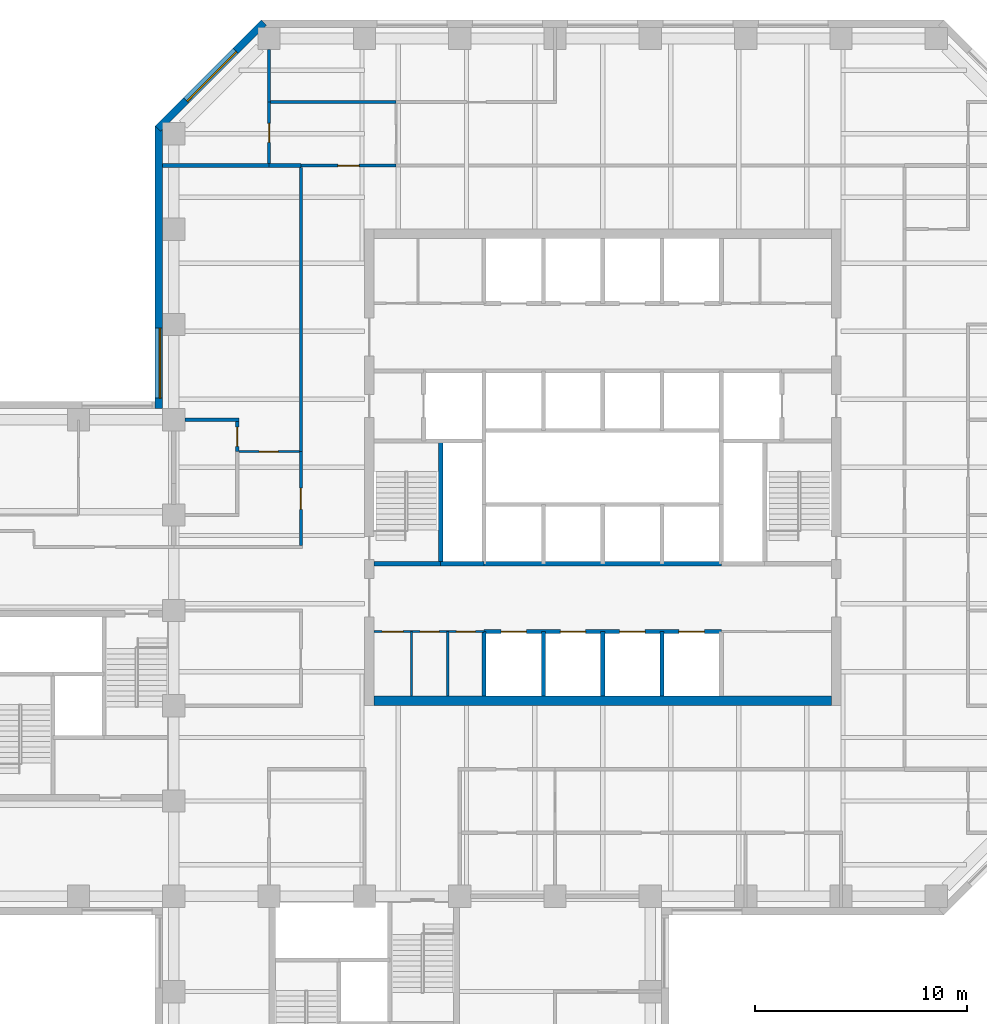
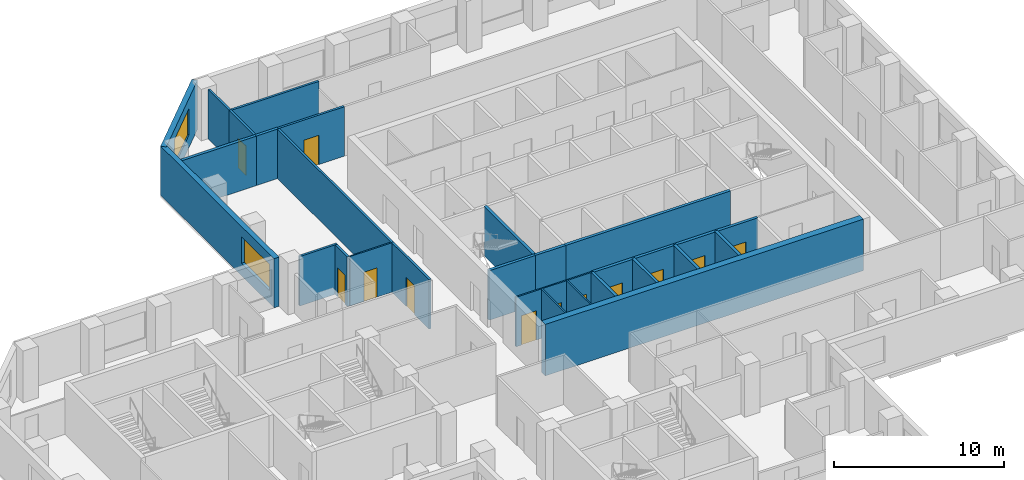
# One storey, part 6 of 11: 26 walls, 12 doors, 2 windows, 14 openings.
"""IFC4 building model written with IfcOpenShell, lengths in metres."""

from ifc_helpers import new_model, si_unit, direction, frame, frame_2d, origin, place, context, subcontext, project, spatial, rectangle, extrude, material, layer, layer_set, constituent, constituent_set, type_object, element, fill, save


model = new_model("IFC4")

# Units and contexts
model_context = context("Model", 3, precision=1e-05, world=origin(), true_north=direction((0.0, 1.0)))
body_context = subcontext(model_context, "Body", "Model", "MODEL_VIEW")
ifc_project = project(units=[si_unit("LENGTHUNIT", "METRE"), si_unit("AREAUNIT", "SQUARE_METRE"), si_unit("VOLUMEUNIT", "CUBIC_METRE"), si_unit("PLANEANGLEUNIT", "RADIAN"), si_unit("MASSUNIT", "GRAM", prefix="KILO")], contexts=[model_context])

# Site, building, storey
site_placement = place(None, origin())
site = spatial("IfcSite", under=ifc_project, at=site_placement, CompositionType="ELEMENT")
building_placement = place(site_placement, origin())
building = spatial("IfcBuilding", under=site, at=building_placement, Name="Quoin Convention Tower", CompositionType="ELEMENT")
storey_placement = place(building_placement, frame((0.0, 0.0, 104.800048828125)))
storey = spatial("IfcBuildingStorey", under=building, at=storey_placement, Name="L27", CompositionType="ELEMENT", Elevation=104.800048828125)

# Walls
ifc_material_1 = material(Name="Plasterboard")
ifc_layer_1 = layer(ifc_material_1, 0.012451171875, Name="Finish")
ifc_material_2 = material(Name="Steel stud framing", Category="steel")
ifc_layer_2 = layer(ifc_material_2, 0.125, Name="Structure")
ifc_layer_3 = layer(ifc_material_1, 0.012451171875, Name="Finish")
ifc_layer_set_1 = layer_set([ifc_layer_1, ifc_layer_2, ifc_layer_3], Name="Steel stud framing")
wall_type_1 = type_object("IfcWallType", Name="Acoustic partition 150", PredefinedType="PARTITIONING", material=ifc_layer_set_1)
wall_1_placement = place(storey_placement, frame((36.52490234375, 63.0, 0.0), z_axis=(0.0, 0.0, 1.0), x_axis=(1.0, 0.0, 0.0)))
element("IfcWall", 1, at=wall_1_placement, inside=storey, type_object=wall_type_1, Name="pw-L27-037", PredefinedType="PARTITIONING", context=body_context, shape_type="SweptSolid", body=[
    extrude(rectangle(XDim=2.550048828125, YDim=0.14990234375, at=frame_2d((1.27490234375, 0.0))), origin(), (0.0, 0.0, 1.0), 3.550048828125),
])
wall_2_placement = place(storey_placement, frame((40.574951171875, 78.0, 0.0), z_axis=(0.0, 0.0, 1.0), x_axis=(1.0, 0.0, 0.0)))
element("IfcWall", 2, at=wall_2_placement, inside=storey, type_object=wall_type_1, Name="pw-L27-047", PredefinedType="PARTITIONING", context=body_context, shape_type="SweptSolid", body=[
    extrude(rectangle(XDim=5.925048828125, YDim=0.14990234375, at=frame_2d((2.96240234375, 0.0))), origin(), (0.0, 0.0, 1.0), 3.550048828125),
])

# Wall, opening, door
wall_3_placement = place(storey_placement, frame((39.0, 61.5, 0.0), z_axis=(0.0, 0.0, 1.0), x_axis=(0.0, 1.0, 0.0)))
wall_3 = element("IfcWall", 3, at=wall_3_placement, inside=storey, type_object=wall_type_1, Name="pw-L27-084", PredefinedType="PARTITIONING", context=body_context, shape_type="SweptSolid", body=[
    extrude(rectangle(XDim=1.425048828125, YDim=0.14990234375, at=frame_2d((0.71240234375, 0.0))), origin(), (0.0, 0.0, 1.0), 3.550048828125),
])
opening_1_placement = place(wall_3_placement, frame((0.25, 0.0, 0.0)))
opening_1 = element("IfcOpeningElement", 4, at=opening_1_placement, cuts=wall_3, Name="Opening DOL4-27", PredefinedType="OPENING", context=body_context, shape_type="SweptSolid", body=[
    extrude(rectangle(XDim=0.89990234375, YDim=2.10009765625, at=frame_2d((0.449951171875, 1.050048828125))), frame((0.0, 0.0849609375, 0.0), z_axis=(0.0, -1.0, 0.0), x_axis=(1.0, 0.0, 0.0)), (0.0, 0.0, 1.0), 0.169921875),
])
ifc_material_3 = material(Name="Steel door leaf", Category="steel")
door_type_1 = type_object("IfcDoorType", Name="Office door 900 x 2100", OperationType="SINGLE_SWING_RIGHT", PredefinedType="DOOR", material=ifc_material_3)
door_1_placement = place(opening_1_placement, frame((0.89990234375, 0.0, 0.0), z_axis=(0.0, 0.0, 1.0), x_axis=(-1.0, 0.0, 0.0)))
door_1 = element("IfcDoor", 5, at=door_1_placement, inside=storey, type_object=door_type_1, Name="dr-L27-36", OperationType="SINGLE_SWING_RIGHT", OverallHeight=2.10009765625, OverallWidth=0.89990234375, PredefinedType="DOOR", context=body_context, shape_type="SweptSolid", body=[
    extrude(rectangle(XDim=0.89990234375, YDim=2.10009765625, at=frame_2d((0.449951171875, 1.050048828125))), frame((0.0, 0.02490234375, 0.0), z_axis=(0.0, -1.0, 0.0), x_axis=(1.0, 0.0, 0.0)), (0.0, 0.0, 1.0), 0.050048828125),
])
fill(opening_1, door_1)

wall_4_placement = place(storey_placement, frame((40.5, 75.10009765625, 0.0), z_axis=(0.0, 0.0, 1.0), x_axis=(0.0, 1.0, 0.0)))
wall_4 = element("IfcWall", 6, at=wall_4_placement, inside=storey, type_object=wall_type_1, Name="pw-L27-091", PredefinedType="PARTITIONING", context=body_context, shape_type="SweptSolid", body=[
    extrude(rectangle(XDim=2.89990234375, YDim=0.14990234375, at=frame_2d((1.449951171875, 0.0))), origin(), (0.0, 0.0, 1.0), 3.550048828125),
])
opening_2_placement = place(wall_4_placement, frame((1.0, 0.0, 0.0)))
opening_2 = element("IfcOpeningElement", 7, at=opening_2_placement, cuts=wall_4, Name="Opening DOL4-30", PredefinedType="OPENING", context=body_context, shape_type="SweptSolid", body=[
    extrude(rectangle(XDim=0.89990234375, YDim=2.10009765625, at=frame_2d((0.449951171875, 1.050048828125))), frame((0.0, 0.0849609375, 0.0), z_axis=(0.0, -1.0, 0.0), x_axis=(1.0, 0.0, 0.0)), (0.0, 0.0, 1.0), 0.169921875),
])
door_2_placement = place(opening_2_placement, origin())
door_2 = element("IfcDoor", 8, at=door_2_placement, inside=storey, type_object=door_type_1, Name="dr-L27-32", OperationType="SINGLE_SWING_RIGHT", OverallHeight=2.10009765625, OverallWidth=0.89990234375, PredefinedType="DOOR", context=body_context, shape_type="SweptSolid", body=[
    extrude(rectangle(XDim=0.89990234375, YDim=2.10009765625, at=frame_2d((0.449951171875, 1.050048828125))), frame((0.0, 0.02490234375, 0.0), z_axis=(0.0, -1.0, 0.0), x_axis=(1.0, 0.0, 0.0)), (0.0, 0.0, 1.0), 0.050048828125),
])
fill(opening_2, door_2)

# Wall
wall_5_placement = place(storey_placement, frame((40.5, 78.0, 0.0), z_axis=(0.0, 0.0, 1.0), x_axis=(0.0, 1.0, 0.0)))
element("IfcWall", 9, at=wall_5_placement, inside=storey, type_object=wall_type_1, Name="pw-L27-092", PredefinedType="PARTITIONING", context=body_context, shape_type="SweptSolid", body=[
    extrude(rectangle(XDim=2.47509765625, YDim=0.14990234375, at=frame_2d((1.237548828125, 0.0))), origin(), (0.0, 0.0, 1.0), 3.550048828125),
])

# Wall, opening, window
ifc_material_4 = material(Name="Brick masonry", Category="masonry")
ifc_layer_4 = layer(ifc_material_4, 0.35009765625)
ifc_layer_set_2 = layer_set([ifc_layer_4], Name="Brick masonry")
wall_type_2 = type_object("IfcWallType", Name="Brick facade wall", PredefinedType="STANDARD", material=ifc_layer_set_2)
wall_6_placement = place(storey_placement, frame((40.26123046875, 81.751220703125, 0.0), z_axis=(0.0, 0.0, 1.0), x_axis=(-0.707106781187, -0.707106781187, 0.0)))
wall_6 = element("IfcWall", 10, at=wall_6_placement, inside=storey, type_object=wall_type_2, Name="fw-L27-40500_81000", PredefinedType="STANDARD", context=body_context, shape_type="SweptSolid", body=[
    extrude(rectangle(XDim=7.088623046875, YDim=0.35009765625, at=frame_2d((3.54443359375, 0.0))), origin(), (0.0, 0.0, 1.0), 3.52490234375),
])
opening_3_placement = place(wall_6_placement, frame((1.894287109375, 0.0, 0.89990234375)))
opening_3 = element("IfcOpeningElement", 11, at=opening_3_placement, cuts=wall_6, Name="Opening W-02", PredefinedType="OPENING", context=body_context, shape_type="SweptSolid", body=[
    extrude(rectangle(XDim=3.300048828125, YDim=1.89990234375, at=frame_2d((1.64990234375, 0.949951171875))), frame((0.0, 0.18505859375, 0.0), z_axis=(0.0, -1.0, 0.0), x_axis=(1.0, 0.0, 0.0)), (0.0, 0.0, 1.0), 0.3701171875),
])
ifc_material_5 = material(Name="Aluminium", Category="aluminium")
ifc_constituent_1 = constituent(ifc_material_5, Name="Frame")
ifc_material_6 = material(Name="Insulated glass", Category="glass")
ifc_constituent_2 = constituent(ifc_material_6, Name="Glazing")
ifc_constituent_set = constituent_set(constituents=[ifc_constituent_1, ifc_constituent_2], Name="Aluminium")
window_type = type_object("IfcWindowType", Name="Office window", PartitioningType="DOUBLE_PANEL_VERTICAL", PredefinedType="WINDOW", material=ifc_constituent_set)
window_1_placement = place(opening_3_placement, origin())
window_1 = element("IfcWindow", 12, at=window_1_placement, inside=storey, type_object=window_type, Name="win-L27-37755_79245", OverallHeight=1.89990234375, OverallWidth=3.300048828125, PartitioningType="SINGLE_PANEL", PredefinedType="WINDOW", context=body_context, shape_type="SweptSolid", body=[
    extrude(rectangle(XDim=3.300048828125, YDim=1.89990234375, at=frame_2d((1.64990234375, 0.949951171875))), frame((0.0, 0.0849609375, 0.0), z_axis=(0.0, -1.0, 0.0), x_axis=(1.0, 0.0, 0.0)), (0.0, 0.0, 1.0), 0.06005859375),
])
fill(opening_3, window_1)

wall_7_placement = place(storey_placement, frame((35.300048828125, 76.8623046875, 0.0), z_axis=(0.0, 0.0, 1.0), x_axis=(0.0, -1.0, 0.0)))
wall_7 = element("IfcWall", 13, at=wall_7_placement, inside=storey, type_object=wall_type_2, Name="fw-L27-36000_76500", PredefinedType="STANDARD", context=body_context, shape_type="SweptSolid", body=[
    extrude(rectangle(XDim=13.33740234375, YDim=0.35009765625, at=frame_2d((6.668701171875, 0.0))), origin(), (0.0, 0.0, 1.0), 3.52490234375),
])
opening_4_placement = place(wall_7_placement, frame((9.537353515625, 0.0, 0.89990234375)))
opening_4 = element("IfcOpeningElement", 14, at=opening_4_placement, cuts=wall_7, Name="Opening W-02", PredefinedType="OPENING", context=body_context, shape_type="SweptSolid", body=[
    extrude(rectangle(XDim=3.300048828125, YDim=1.89990234375, at=frame_2d((1.64990234375, 0.949951171875))), frame((0.0, 0.18505859375, 0.0), z_axis=(0.0, -1.0, 0.0), x_axis=(1.0, 0.0, 0.0)), (0.0, 0.0, 1.0), 0.3701171875),
])
window_2_placement = place(opening_4_placement, origin())
window_2 = element("IfcWindow", 15, at=window_2_placement, inside=storey, type_object=window_type, Name="win-L27-35300_65250", OverallHeight=1.89990234375, OverallWidth=3.300048828125, PartitioningType="SINGLE_PANEL", PredefinedType="WINDOW", context=body_context, shape_type="SweptSolid", body=[
    extrude(rectangle(XDim=3.300048828125, YDim=1.89990234375, at=frame_2d((1.64990234375, 0.949951171875))), frame((0.0, 0.0849609375, 0.0), z_axis=(0.0, -1.0, 0.0), x_axis=(1.0, 0.0, 0.0)), (0.0, 0.0, 1.0), 0.06005859375),
])
fill(opening_4, window_2)

# Wall, openings, doors
ifc_layer_5 = layer(ifc_material_1, 0.012451171875, Name="Finish")
ifc_layer_6 = layer(ifc_material_2, 0.074951171875, Name="Structure")
ifc_layer_7 = layer(ifc_material_1, 0.012451171875, Name="Finish")
ifc_layer_set_3 = layer_set([ifc_layer_5, ifc_layer_6, ifc_layer_7], Name="Steel stud framing")
wall_type_3 = type_object("IfcWallType", Name="Core partition wall", PredefinedType="PARTITIONING", material=ifc_layer_set_3)
wall_8_placement = place(storey_placement, frame((45.449951171875, 53.0, 0.0), z_axis=(0.0, 0.0, 1.0), x_axis=(1.0, 0.0, 0.0)))
wall_8 = element("IfcWall", 16, at=wall_8_placement, inside=storey, type_object=wall_type_3, Name="cr-C1-L27-h3500_450", PredefinedType="PARTITIONING", context=body_context, shape_type="SweptSolid", body=[
    extrude(rectangle(XDim=5.199951171875, YDim=0.10009765625, at=frame_2d((2.60009765625, 0.0))), origin(), (0.0, 0.0, 1.0), 3.550048828125),
])
opening_5_placement = place(wall_8_placement, frame((0.384033203125, 0.0, 0.0)))
opening_5 = element("IfcOpeningElement", 17, at=opening_5_placement, cuts=wall_8, Name="Opening DCV3-31", PredefinedType="OPENING", context=body_context, shape_type="SweptSolid", body=[
    extrude(rectangle(XDim=1.0, YDim=2.10009765625, at=frame_2d((0.5, 1.050048828125))), frame((0.0, 0.06005859375, 0.0), z_axis=(0.0, -1.0, 0.0), x_axis=(1.0, 0.0, 0.0)), (0.0, 0.0, 1.0), 0.1201171875),
])
opening_6_placement = place(wall_8_placement, frame((2.176025390625, 0.0, 0.0)))
opening_6 = element("IfcOpeningElement", 18, at=opening_6_placement, cuts=wall_8, Name="Opening DCV3-32", PredefinedType="OPENING", context=body_context, shape_type="SweptSolid", body=[
    extrude(rectangle(XDim=0.89990234375, YDim=2.10009765625, at=frame_2d((0.449951171875, 1.050048828125))), frame((0.0, 0.06005859375, 0.0), z_axis=(0.0, -1.0, 0.0), x_axis=(1.0, 0.0, 0.0)), (0.0, 0.0, 1.0), 0.1201171875),
])
opening_7_placement = place(wall_8_placement, frame((3.89208984375, 0.0, 0.0)))
opening_7 = element("IfcOpeningElement", 19, at=opening_7_placement, cuts=wall_8, Name="Opening DCV3-33", PredefinedType="OPENING", context=body_context, shape_type="SweptSolid", body=[
    extrude(rectangle(XDim=0.89990234375, YDim=2.10009765625, at=frame_2d((0.449951171875, 1.050048828125))), frame((0.0, 0.06005859375, 0.0), z_axis=(0.0, -1.0, 0.0), x_axis=(1.0, 0.0, 0.0)), (0.0, 0.0, 1.0), 0.1201171875),
])
door_type_2 = type_object("IfcDoorType", Name="Core room door 1000 x 2100", OperationType="SINGLE_SWING_LEFT", PredefinedType="DOOR", material=ifc_material_3)
door_3_placement = place(opening_5_placement, frame((1.0, 0.0, 0.0), z_axis=(0.0, 0.0, 1.0), x_axis=(-1.0, 0.0, 0.0)))
door_3 = element("IfcDoor", 20, at=door_3_placement, inside=storey, type_object=door_type_2, Name="cd-C1-L27-CSW0-lobA-CD2712", OperationType="SINGLE_SWING_LEFT", OverallHeight=2.10009765625, OverallWidth=1.0, PredefinedType="DOOR", context=body_context, shape_type="SweptSolid", body=[
    extrude(rectangle(XDim=1.0, YDim=2.10009765625, at=frame_2d((0.5, 1.050048828125))), frame((0.0, 0.02490234375, 0.0), z_axis=(0.0, -1.0, 0.0), x_axis=(1.0, 0.0, 0.0)), (0.0, 0.0, 1.0), 0.050048828125),
])
fill(opening_5, door_3)
door_type_3 = type_object("IfcDoorType", Name="Core room door 900 x 2100", OperationType="SINGLE_SWING_LEFT", PredefinedType="DOOR", material=ifc_material_3)
door_4_placement = place(opening_6_placement, frame((0.89990234375, 0.0, 0.0), z_axis=(0.0, 0.0, 1.0), x_axis=(-1.0, 0.0, 0.0)))
door_4 = element("IfcDoor", 21, at=door_4_placement, inside=storey, type_object=door_type_3, Name="cd-C1-L27-CSW1-lobA-CD2713", OperationType="SINGLE_SWING_LEFT", OverallHeight=2.10009765625, OverallWidth=0.89990234375, PredefinedType="DOOR", context=body_context, shape_type="SweptSolid", body=[
    extrude(rectangle(XDim=0.89990234375, YDim=2.10009765625, at=frame_2d((0.449951171875, 1.050048828125))), frame((0.0, 0.02490234375, 0.0), z_axis=(0.0, -1.0, 0.0), x_axis=(1.0, 0.0, 0.0)), (0.0, 0.0, 1.0), 0.050048828125),
])
fill(opening_6, door_4)
door_5_placement = place(opening_7_placement, frame((0.89990234375, 0.0, 0.0), z_axis=(0.0, 0.0, 1.0), x_axis=(-1.0, 0.0, 0.0)))
door_5 = element("IfcDoor", 22, at=door_5_placement, inside=storey, type_object=door_type_3, Name="cd-C1-L27-CSW2-lobA-CD2714", OperationType="SINGLE_SWING_LEFT", OverallHeight=2.10009765625, OverallWidth=0.89990234375, PredefinedType="DOOR", context=body_context, shape_type="SweptSolid", body=[
    extrude(rectangle(XDim=0.89990234375, YDim=2.10009765625, at=frame_2d((0.449951171875, 1.050048828125))), frame((0.0, 0.02490234375, 0.0), z_axis=(0.0, -1.0, 0.0), x_axis=(1.0, 0.0, 0.0)), (0.0, 0.0, 1.0), 0.050048828125),
])
fill(opening_7, door_5)

# Walls
for number, where, z_axis, x_axis, name in (
    (23, (47.218017578125, 49.949951171875, 0.0), (0.0, 0.0, 1.0), (0.0, 1.0, 0.0), "cr-C1-L27-v2218_450"),
    (24, (48.93408203125, 49.949951171875, 0.0), (0.0, 0.0, 1.0), (0.0, 1.0, 0.0), "cr-C1-L27-v3934_450"),
):
    element("IfcWall", number, at=place(storey_placement, frame(where, z_axis=z_axis, x_axis=x_axis)), inside=storey, type_object=wall_type_3, Name=name, PredefinedType="PARTITIONING", context=body_context, shape_type="SweptSolid", body=[
        extrude(rectangle(XDim=3.050048828125, YDim=0.10009765625, at=frame_2d((1.52490234375, 0.0))), origin(), (0.0, 0.0, 1.0), 3.550048828125),
    ])

# Wall, openings, doors
ifc_material_7 = material(Name="Concrete C50", Category="concrete")
ifc_layer_8 = layer(ifc_material_7, 0.199951171875)
ifc_layer_set_4 = layer_set([ifc_layer_8], Name="Concrete C50")
wall_type_4 = type_object("IfcWallType", Name="Core shaft wall", PredefinedType="SOLIDWALL", material=ifc_layer_set_4)
wall_9_placement = place(storey_placement, frame((50.64990234375, 53.0, 0.0), z_axis=(0.0, 0.0, 1.0), x_axis=(1.0, 0.0, 0.0)))
wall_9 = element("IfcWall", 25, at=wall_9_placement, inside=storey, type_object=wall_type_4, Name="cr-C1-L27-h3500_5650", PredefinedType="SOLIDWALL", context=body_context, shape_type="SweptSolid", body=[
    extrude(rectangle(XDim=11.2001953125, YDim=0.199951171875, at=frame_2d((5.60009765625, 0.0))), origin(), (0.0, 0.0, 1.0), 3.550048828125),
])
opening_8_placement = place(wall_9_placement, frame((0.800048828125, 0.0, 0.0)))
opening_8 = element("IfcOpeningElement", 26, at=opening_8_placement, cuts=wall_9, Name="Opening LDL1", PredefinedType="OPENING", context=body_context, shape_type="SweptSolid", body=[
    extrude(rectangle(XDim=1.199951171875, YDim=2.10009765625, at=frame_2d((0.60009765625, 1.050048828125))), frame((0.0, 0.10986328125, 0.0), z_axis=(0.0, -1.0, 0.0), x_axis=(1.0, 0.0, 0.0)), (0.0, 0.0, 1.0), 0.219970703125),
])
opening_9_placement = place(wall_9_placement, frame((3.60009765625, 0.0, 0.0)))
opening_9 = element("IfcOpeningElement", 27, at=opening_9_placement, cuts=wall_9, Name="Opening LDL2", PredefinedType="OPENING", context=body_context, shape_type="SweptSolid", body=[
    extrude(rectangle(XDim=1.199951171875, YDim=2.10009765625, at=frame_2d((0.60009765625, 1.050048828125))), frame((0.0, 0.10986328125, 0.0), z_axis=(0.0, -1.0, 0.0), x_axis=(1.0, 0.0, 0.0)), (0.0, 0.0, 1.0), 0.219970703125),
])
opening_10_placement = place(wall_9_placement, frame((6.39990234375, 0.0, 0.0)))
opening_10 = element("IfcOpeningElement", 28, at=opening_10_placement, cuts=wall_9, Name="Opening LDL3", PredefinedType="OPENING", context=body_context, shape_type="SweptSolid", body=[
    extrude(rectangle(XDim=1.199951171875, YDim=2.10009765625, at=frame_2d((0.60009765625, 1.050048828125))), frame((0.0, 0.10986328125, 0.0), z_axis=(0.0, -1.0, 0.0), x_axis=(1.0, 0.0, 0.0)), (0.0, 0.0, 1.0), 0.219970703125),
])
opening_11_placement = place(wall_9_placement, frame((9.199951171875, 0.0, 0.0)))
opening_11 = element("IfcOpeningElement", 29, at=opening_11_placement, cuts=wall_9, Name="Opening LDL4", PredefinedType="OPENING", context=body_context, shape_type="SweptSolid", body=[
    extrude(rectangle(XDim=1.199951171875, YDim=2.10009765625, at=frame_2d((0.60009765625, 1.050048828125))), frame((0.0, 0.10986328125, 0.0), z_axis=(0.0, -1.0, 0.0), x_axis=(1.0, 0.0, 0.0)), (0.0, 0.0, 1.0), 0.219970703125),
])
door_type_4 = type_object("IfcDoorType", Name="Lift landing door 1200 x 2100", OperationType="DOUBLE_DOOR_SLIDING", PredefinedType="DOOR", material=ifc_material_3)
door_6_placement = place(opening_8_placement, origin())
door_6 = element("IfcDoor", 30, at=door_6_placement, inside=storey, type_object=door_type_4, Name="cd-C1-L27-R10-lobA-LDL1", OperationType="DOUBLE_DOOR_SLIDING", OverallHeight=2.10009765625, OverallWidth=1.199951171875, PredefinedType="DOOR", context=body_context, shape_type="SweptSolid", body=[
    extrude(rectangle(XDim=1.199951171875, YDim=2.10009765625, at=frame_2d((0.60009765625, 1.050048828125))), frame((0.0, 0.02490234375, 0.0), z_axis=(0.0, -1.0, 0.0), x_axis=(1.0, 0.0, 0.0)), (0.0, 0.0, 1.0), 0.050048828125),
])
fill(opening_8, door_6)
door_7_placement = place(opening_9_placement, origin())
door_7 = element("IfcDoor", 31, at=door_7_placement, inside=storey, type_object=door_type_4, Name="cd-C1-L27-R11-lobA-LDL2", OperationType="DOUBLE_DOOR_SLIDING", OverallHeight=2.10009765625, OverallWidth=1.199951171875, PredefinedType="DOOR", context=body_context, shape_type="SweptSolid", body=[
    extrude(rectangle(XDim=1.199951171875, YDim=2.10009765625, at=frame_2d((0.60009765625, 1.050048828125))), frame((0.0, 0.02490234375, 0.0), z_axis=(0.0, -1.0, 0.0), x_axis=(1.0, 0.0, 0.0)), (0.0, 0.0, 1.0), 0.050048828125),
])
fill(opening_9, door_7)
door_8_placement = place(opening_10_placement, origin())
door_8 = element("IfcDoor", 32, at=door_8_placement, inside=storey, type_object=door_type_4, Name="cd-C1-L27-R12-lobA-LDL3", OperationType="DOUBLE_DOOR_SLIDING", OverallHeight=2.10009765625, OverallWidth=1.199951171875, PredefinedType="DOOR", context=body_context, shape_type="SweptSolid", body=[
    extrude(rectangle(XDim=1.199951171875, YDim=2.10009765625, at=frame_2d((0.60009765625, 1.050048828125))), frame((0.0, 0.02490234375, 0.0), z_axis=(0.0, -1.0, 0.0), x_axis=(1.0, 0.0, 0.0)), (0.0, 0.0, 1.0), 0.050048828125),
])
fill(opening_10, door_8)
door_9_placement = place(opening_11_placement, origin())
door_9 = element("IfcDoor", 33, at=door_9_placement, inside=storey, type_object=door_type_4, Name="cd-C1-L27-R13-lobA-LDL4", OperationType="DOUBLE_DOOR_SLIDING", OverallHeight=2.10009765625, OverallWidth=1.199951171875, PredefinedType="DOOR", context=body_context, shape_type="SweptSolid", body=[
    extrude(rectangle(XDim=1.199951171875, YDim=2.10009765625, at=frame_2d((0.60009765625, 1.050048828125))), frame((0.0, 0.02490234375, 0.0), z_axis=(0.0, -1.0, 0.0), x_axis=(1.0, 0.0, 0.0)), (0.0, 0.0, 1.0), 0.050048828125),
])
fill(opening_11, door_9)

# Walls
wall_10_placement = place(storey_placement, frame((48.60009765625, 56.199951171875, 0.0), z_axis=(0.0, 0.0, 1.0), x_axis=(1.0, 0.0, 0.0)))
element("IfcWall", 34, at=wall_10_placement, inside=storey, type_object=wall_type_4, Name="cr-C1-L27-h6700_3600", PredefinedType="SOLIDWALL", context=body_context, shape_type="SweptSolid", body=[
    extrude(rectangle(XDim=2.0498046875, YDim=0.199951171875, at=frame_2d((1.02490234375, 0.0))), origin(), (0.0, 0.0, 1.0), 3.550048828125),
])
wall_11_placement = place(storey_placement, frame((45.449951171875, 56.199951171875, 0.0), z_axis=(0.0, 0.0, 1.0), x_axis=(1.0, 0.0, 0.0)))
element("IfcWall", 35, at=wall_11_placement, inside=storey, type_object=wall_type_4, Name="cr-C1-L27-h6700_450", PredefinedType="SOLIDWALL", context=body_context, shape_type="SweptSolid", body=[
    extrude(rectangle(XDim=3.150146484375, YDim=0.199951171875, at=frame_2d((1.5751953125, 0.0))), origin(), (0.0, 0.0, 1.0), 3.550048828125),
])
wall_12_placement = place(storey_placement, frame((50.64990234375, 56.199951171875, 0.0), z_axis=(0.0, 0.0, 1.0), x_axis=(1.0, 0.0, 0.0)))
element("IfcWall", 36, at=wall_12_placement, inside=storey, type_object=wall_type_4, Name="cr-C1-L27-h6700_5650", PredefinedType="SOLIDWALL", context=body_context, shape_type="SweptSolid", body=[
    extrude(rectangle(XDim=11.2001953125, YDim=0.199951171875, at=frame_2d((5.60009765625, 0.0))), origin(), (0.0, 0.0, 1.0), 3.550048828125),
])
wall_13_placement = place(storey_placement, frame((48.60009765625, 56.199951171875, 0.0), z_axis=(0.0, 0.0, 1.0), x_axis=(0.0, 1.0, 0.0)))
element("IfcWall", 37, at=wall_13_placement, inside=storey, type_object=wall_type_4, Name="cr-C1-L27-v3600_6700", PredefinedType="SOLIDWALL", context=body_context, shape_type="SweptSolid", body=[
    extrude(rectangle(XDim=5.800048828125, YDim=0.199951171875, at=frame_2d((2.89990234375, 0.0))), origin(), (0.0, 0.0, 1.0), 3.550048828125),
])
for number, where, z_axis, x_axis, name in (
    (38, (50.64990234375, 49.949951171875, 0.0), (0.0, 0.0, 1.0), (0.0, 1.0, 0.0), "cr-C1-L27-v5650_450"),
    (39, (53.449951171875, 49.949951171875, 0.0), (0.0, 0.0, 1.0), (0.0, 1.0, 0.0), "cr-C1-L27-v8450_450"),
    (40, (56.25, 49.949951171875, 0.0), (0.0, 0.0, 1.0), (0.0, 1.0, 0.0), "cr-C1-L27-v11250_450"),
    (41, (59.050048828125, 49.949951171875, 0.0), (0.0, 0.0, 1.0), (0.0, 1.0, 0.0), "cr-C1-L27-v14050_450"),
):
    element("IfcWall", number, at=place(storey_placement, frame(where, z_axis=z_axis, x_axis=x_axis)), inside=storey, type_object=wall_type_4, Name=name, PredefinedType="SOLIDWALL", context=body_context, shape_type="SweptSolid", body=[
        extrude(rectangle(XDim=3.050048828125, YDim=0.199951171875, at=frame_2d((1.52490234375, 0.0))), origin(), (0.0, 0.0, 1.0), 3.550048828125),
    ])

# Wall, opening, door
ifc_layer_9 = layer(ifc_material_1, 0.012451171875, Name="Finish")
ifc_layer_10 = layer(ifc_material_2, 0.125, Name="Structure")
ifc_layer_11 = layer(ifc_material_1, 0.012451171875, Name="Finish")
ifc_layer_set_5 = layer_set([ifc_layer_9, ifc_layer_10, ifc_layer_11], Name="Steel stud framing")
wall_type_5 = type_object("IfcWallType", Name="Corridor wall 150", PredefinedType="PARTITIONING", material=ifc_layer_set_5)
wall_14_placement = place(storey_placement, frame((42.0, 75.0, 0.0), z_axis=(0.0, 0.0, 1.0), x_axis=(1.0, 0.0, 0.0)))
wall_14 = element("IfcWall", 42, at=wall_14_placement, inside=storey, type_object=wall_type_5, Name="pw-L27-043", PredefinedType="PARTITIONING", context=body_context, shape_type="SweptSolid", body=[
    extrude(rectangle(XDim=4.5, YDim=0.14990234375, at=frame_2d((2.25, 0.0))), origin(), (0.0, 0.0, 1.0), 3.550048828125),
])
opening_12_placement = place(wall_14_placement, frame((1.75, 0.0, 0.0)))
opening_12 = element("IfcOpeningElement", 43, at=opening_12_placement, cuts=wall_14, Name="Opening DOL4-15", PredefinedType="OPENING", context=body_context, shape_type="SweptSolid", body=[
    extrude(rectangle(XDim=1.0, YDim=2.10009765625, at=frame_2d((0.5, 1.050048828125))), frame((0.0, 0.0849609375, 0.0), z_axis=(0.0, -1.0, 0.0), x_axis=(1.0, 0.0, 0.0)), (0.0, 0.0, 1.0), 0.169921875),
])
door_type_5 = type_object("IfcDoorType", Name="Tenancy entrance door 1000 x 2100", OperationType="DOUBLE_DOOR_SINGLE_SWING", PredefinedType="DOOR", material=ifc_material_3)
door_10_placement = place(opening_12_placement, origin())
door_10 = element("IfcDoor", 44, at=door_10_placement, inside=storey, type_object=door_type_5, Name="dr-L27-29", OperationType="DOUBLE_DOOR_SINGLE_SWING", OverallHeight=2.10009765625, OverallWidth=1.0, PredefinedType="DOOR", context=body_context, shape_type="SweptSolid", body=[
    extrude(rectangle(XDim=1.0, YDim=2.10009765625, at=frame_2d((0.5, 1.050048828125))), frame((0.0, 0.02490234375, 0.0), z_axis=(0.0, -1.0, 0.0), x_axis=(1.0, 0.0, 0.0)), (0.0, 0.0, 1.0), 0.050048828125),
])
fill(opening_12, door_10)

wall_15_placement = place(storey_placement, frame((42.0, 57.074951171875, 0.0), z_axis=(0.0, 0.0, 1.0), x_axis=(0.0, 1.0, 0.0)))
wall_15 = element("IfcWall", 45, at=wall_15_placement, inside=storey, type_object=wall_type_5, Name="pw-L27-075", PredefinedType="PARTITIONING", context=body_context, shape_type="SweptSolid", body=[
    extrude(rectangle(XDim=4.425048828125, YDim=0.14990234375, at=frame_2d((2.21240234375, 0.0))), origin(), (0.0, 0.0, 1.0), 3.550048828125),
])
opening_13_placement = place(wall_15_placement, frame((1.699951171875, 0.0, 0.0)))
opening_13 = element("IfcOpeningElement", 46, at=opening_13_placement, cuts=wall_15, Name="Opening DOL4-25", PredefinedType="OPENING", context=body_context, shape_type="SweptSolid", body=[
    extrude(rectangle(XDim=1.0, YDim=2.10009765625, at=frame_2d((0.5, 1.050048828125))), frame((0.0, 0.0849609375, 0.0), z_axis=(0.0, -1.0, 0.0), x_axis=(1.0, 0.0, 0.0)), (0.0, 0.0, 1.0), 0.169921875),
])
door_11_placement = place(opening_13_placement, origin())
door_11 = element("IfcDoor", 47, at=door_11_placement, inside=storey, type_object=door_type_5, Name="dr-L27-34", OperationType="DOUBLE_DOOR_SINGLE_SWING", OverallHeight=2.10009765625, OverallWidth=1.0, PredefinedType="DOOR", context=body_context, shape_type="SweptSolid", body=[
    extrude(rectangle(XDim=1.0, YDim=2.10009765625, at=frame_2d((0.5, 1.050048828125))), frame((0.0, 0.02490234375, 0.0), z_axis=(0.0, -1.0, 0.0), x_axis=(1.0, 0.0, 0.0)), (0.0, 0.0, 1.0), 0.050048828125),
])
fill(opening_13, door_11)

# Walls
wall_16_placement = place(storey_placement, frame((42.0, 61.5, 0.0), z_axis=(0.0, 0.0, 1.0), x_axis=(0.0, 1.0, 0.0)))
element("IfcWall", 48, at=wall_16_placement, inside=storey, type_object=wall_type_5, Name="pw-L27-085", PredefinedType="PARTITIONING", context=body_context, shape_type="SweptSolid", body=[
    extrude(rectangle(XDim=13.39990234375, YDim=0.14990234375, at=frame_2d((6.699951171875, 0.0))), origin(), (0.0, 0.0, 1.0), 3.550048828125),
])
ifc_material_8 = material(Name="Concrete C65", Category="concrete")
ifc_layer_12 = layer(ifc_material_8, 0.449951171875)
ifc_layer_set_6 = layer_set([ifc_layer_12], Name="Concrete C65")
wall_type_6 = type_object("IfcWallType", Name="RC CORE WALL 450 C65", PredefinedType="SHEAR", material=ifc_layer_set_6)
wall_17_placement = place(storey_placement, frame((45.449951171875, 49.72509765625, 0.0), z_axis=(0.0, 0.0, 1.0), x_axis=(1.0, 0.0, 0.0)))
element("IfcWall", 49, at=wall_17_placement, inside=storey, type_object=wall_type_6, Name="cwl-C1-L27-S", PredefinedType="SHEAR", context=body_context, shape_type="SweptSolid", body=[
    extrude(rectangle(XDim=21.60009765625, YDim=0.449951171875, at=frame_2d((10.800048828125, 0.0))), origin(), (0.0, 0.0, 1.0), 3.699951171875),
])

# Wall, opening, door
ifc_layer_13 = layer(ifc_material_1, 0.012451171875, Name="Finish")
ifc_layer_14 = layer(ifc_material_2, 0.074951171875, Name="Structure")
ifc_layer_15 = layer(ifc_material_1, 0.012451171875, Name="Finish")
ifc_layer_set_7 = layer_set([ifc_layer_13, ifc_layer_14, ifc_layer_15], Name="Steel stud framing")
wall_type_7 = type_object("IfcWallType", Name="Stud partition 100", PredefinedType="PARTITIONING", material=ifc_layer_set_7)
wall_18_placement = place(storey_placement, frame((39.074951171875, 61.5, 0.0), z_axis=(0.0, 0.0, 1.0), x_axis=(1.0, 0.0, 0.0)))
wall_18 = element("IfcWall", 50, at=wall_18_placement, inside=storey, type_object=wall_type_7, Name="pw-L27-036", PredefinedType="PARTITIONING", context=body_context, shape_type="SweptSolid", body=[
    extrude(rectangle(XDim=2.85009765625, YDim=0.10009765625, at=frame_2d((1.425048828125, 0.0))), origin(), (0.0, 0.0, 1.0), 3.550048828125),
])
opening_14_placement = place(wall_18_placement, frame((0.949951171875, 0.0, 0.0)))
opening_14 = element("IfcOpeningElement", 51, at=opening_14_placement, cuts=wall_18, Name="Opening DOL4-12", PredefinedType="OPENING", context=body_context, shape_type="SweptSolid", body=[
    extrude(rectangle(XDim=0.89990234375, YDim=2.10009765625, at=frame_2d((0.449951171875, 1.050048828125))), frame((0.0, 0.06005859375, 0.0), z_axis=(0.0, -1.0, 0.0), x_axis=(1.0, 0.0, 0.0)), (0.0, 0.0, 1.0), 0.1201171875),
])
door_12_placement = place(opening_14_placement, origin())
door_12 = element("IfcDoor", 52, at=door_12_placement, inside=storey, type_object=door_type_1, Name="dr-L27-35", OperationType="SINGLE_SWING_RIGHT", OverallHeight=2.10009765625, OverallWidth=0.89990234375, PredefinedType="DOOR", context=body_context, shape_type="SweptSolid", body=[
    extrude(rectangle(XDim=0.89990234375, YDim=2.10009765625, at=frame_2d((0.449951171875, 1.050048828125))), frame((0.0, 0.02490234375, 0.0), z_axis=(0.0, -1.0, 0.0), x_axis=(1.0, 0.0, 0.0)), (0.0, 0.0, 1.0), 0.050048828125),
])
fill(opening_14, door_12)

# Walls
ifc_layer_16 = layer(ifc_material_1, 0.012451171875, Name="Finish")
ifc_layer_17 = layer(ifc_material_2, 0.175048828125, Name="Structure")
ifc_layer_18 = layer(ifc_material_1, 0.012451171875, Name="Finish")
ifc_layer_set_8 = layer_set([ifc_layer_16, ifc_layer_17, ifc_layer_18], Name="Steel stud framing")
wall_type_8 = type_object("IfcWallType", Name="Tenancy demising wall 200", PredefinedType="PARTITIONING", material=ifc_layer_set_8)
wall_19_placement = place(storey_placement, frame((35.47509765625, 75.0, 0.0), z_axis=(0.0, 0.0, 1.0), x_axis=(1.0, 0.0, 0.0)))
element("IfcWall", 53, at=wall_19_placement, inside=storey, type_object=wall_type_8, Name="pw-L27-041", PredefinedType="PARTITIONING", context=body_context, shape_type="SweptSolid", body=[
    extrude(rectangle(XDim=5.02490234375, YDim=0.199951171875, at=frame_2d((2.512451171875, 0.0))), origin(), (0.0, 0.0, 1.0), 3.550048828125),
])
wall_20_placement = place(storey_placement, frame((40.5, 75.0, 0.0), z_axis=(0.0, 0.0, 1.0), x_axis=(1.0, 0.0, 0.0)))
element("IfcWall", 54, at=wall_20_placement, inside=storey, type_object=wall_type_8, Name="pw-L27-042", PredefinedType="PARTITIONING", context=body_context, shape_type="SweptSolid", body=[
    extrude(rectangle(XDim=1.5, YDim=0.199951171875, at=frame_2d((0.75, 0.0))), origin(), (0.0, 0.0, 1.0), 3.550048828125),
])

save(model, "model.ifc")
